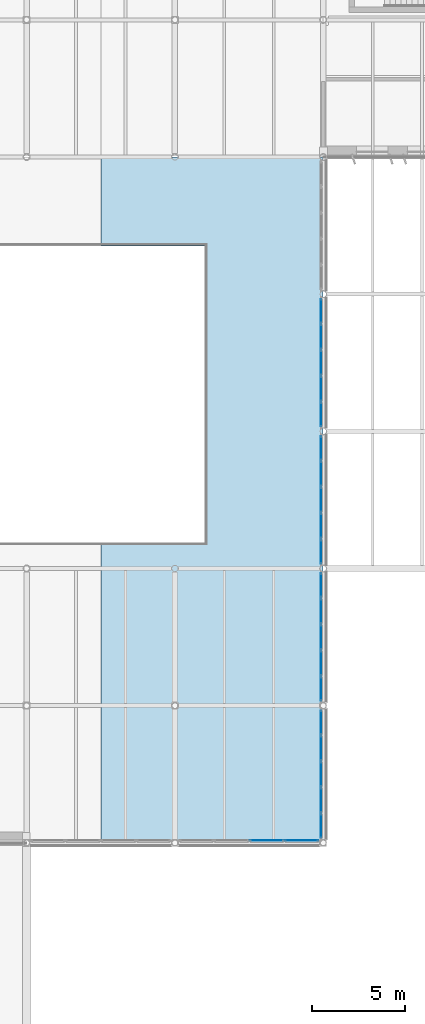
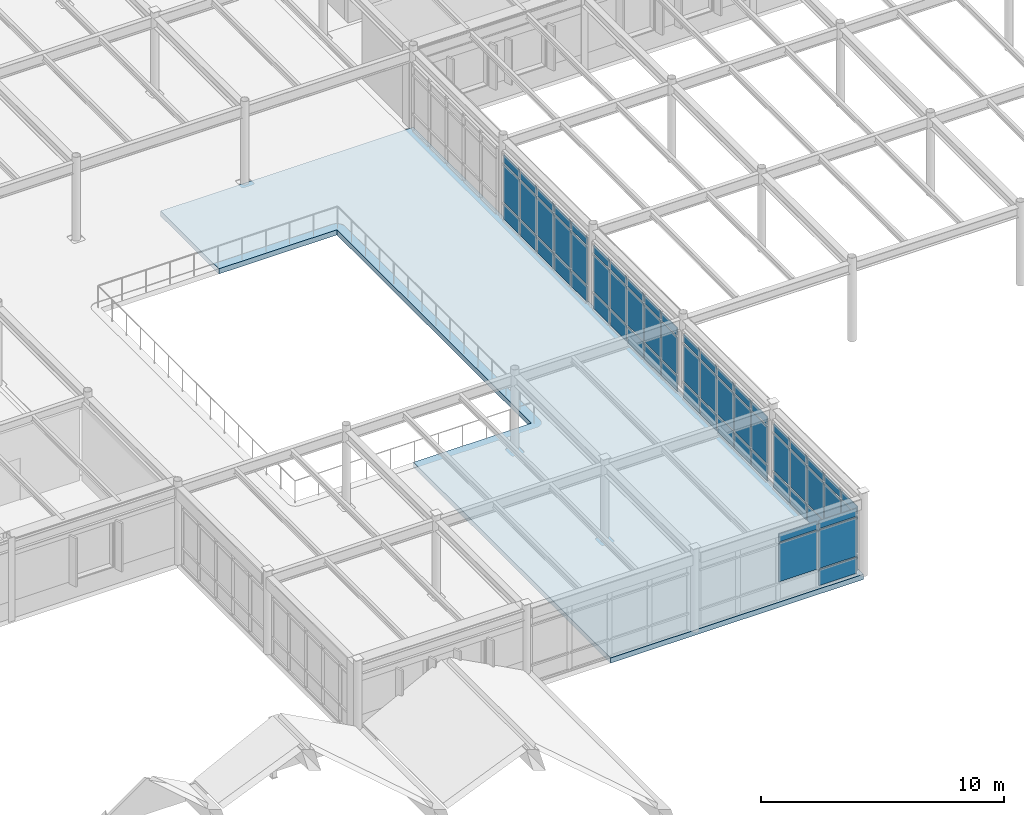
# One storey, part 31 of 63: 65 plates, 1 slab, 5 elements without a shape of their own.
"""IFC4 building model written with IfcOpenShell, lengths in metres."""

from ifc_helpers import new_model, si_unit, direction, frame, origin, origin_2d, place, context, subcontext, project, spatial, polyline, rectangle, outline, extrude, material, layer, layer_set, type_object, element, aggregate, save


model = new_model("IFC4")

# Units and contexts
model_context = context("Model", 3, precision=1e-05, world=origin(), true_north=direction((0.0, 1.0)))
body_context = subcontext(model_context, "Body", "Model", "MODEL_VIEW")
ifc_project = project(units=[si_unit("LENGTHUNIT", "METRE"), si_unit("AREAUNIT", "SQUARE_METRE"), si_unit("VOLUMEUNIT", "CUBIC_METRE"), si_unit("PLANEANGLEUNIT", "RADIAN"), si_unit("MASSUNIT", "GRAM", prefix="KILO")], contexts=[model_context])

# Site, building, storey
site_placement = place(None, origin())
site = spatial("IfcSite", under=ifc_project, at=site_placement, CompositionType="ELEMENT")
building_placement = place(site_placement, origin())
building = spatial("IfcBuilding", under=site, at=building_placement, Name="Valkorina Park Police Headquarters", CompositionType="ELEMENT")
storey_placement = place(building_placement, frame((0.0, 0.0, 9.89990234375)))
storey = spatial("IfcBuildingStorey", under=building, at=storey_placement, Name="L03", CompositionType="ELEMENT", Elevation=9.89990234375)

# Curtain wall, plates
ifc_material_1 = material(Name="Thermally broken aluminium AW-6060", Category="aluminium")
ifc_layer_1 = layer(ifc_material_1, 0.18994140625)
ifc_layer_set_1 = layer_set([ifc_layer_1], Name="Thermally broken aluminium AW-6060")
curtain_wall_type_1 = type_object("IfcCurtainWallType", Name="CW-V4-7020x3400", PredefinedType="NOTDEFINED", material=ifc_layer_set_1)
curtain_wall_1_placement = place(storey_placement, origin())
curtain_wall_1 = element("IfcCurtainWall", 1, at=curtain_wall_1_placement, inside=storey, type_object=curtain_wall_type_1, Name="L03 Unitised Curtain Wall 021", PredefinedType="NOTDEFINED")
ifc_material_2 = material(Name="Triple low-E insulated glazing", Category="glass")
ifc_layer_2 = layer(ifc_material_2, 0.0380859375)
ifc_layer_set_2 = layer_set([ifc_layer_2], Name="Triple low-E insulated glazing")
plate_type_1 = type_object("IfcPlateType", Name="PL-CWP-ACOUST-38", PredefinedType="CURTAIN_PANEL", material=ifc_layer_set_2)
plate_1_placement = place(storey_placement, frame((80.679931640625, 50.8896484375, 0.940185546875), z_axis=(0.0, 0.0, 1.0), x_axis=(0.0, -1.0, 0.0)))
plate_1 = element("IfcPlate", 2, at=plate_1_placement, type_object=plate_type_1, Name="CW-V4-702-340 panel 1.2", PredefinedType="CURTAIN_PANEL", context=body_context, shape_type="SweptSolid", body=[
    extrude(rectangle(XDim=1.284912109375, YDim=0.0380859375, at=origin_2d()), origin(), (0.0, 0.0, 1.0), 1.89501953125),
])
plate_2_placement = place(storey_placement, frame((80.679931640625, 50.8896484375, 2.9150390625), z_axis=(0.0, 0.0, 1.0), x_axis=(0.0, -1.0, 0.0)))
plate_2 = element("IfcPlate", 3, at=plate_2_placement, type_object=plate_type_1, Name="CW-V4-702-340 panel 1.3", PredefinedType="CURTAIN_PANEL", context=body_context, shape_type="SweptSolid", body=[
    extrude(rectangle(XDim=1.284912109375, YDim=0.0380859375, at=origin_2d()), origin(), (0.0, 0.0, 1.0), 0.39990234375),
])
plate_3_placement = place(storey_placement, frame((80.679931640625, 49.5048828125, 0.940185546875), z_axis=(0.0, 0.0, 1.0), x_axis=(0.0, -1.0, 0.0)))
plate_3 = element("IfcPlate", 4, at=plate_3_placement, type_object=plate_type_1, Name="CW-V4-702-340 panel 2.2", PredefinedType="CURTAIN_PANEL", context=body_context, shape_type="SweptSolid", body=[
    extrude(rectangle(XDim=1.324951171875, YDim=0.0380859375, at=origin_2d()), origin(), (0.0, 0.0, 1.0), 1.89501953125),
])
plate_4_placement = place(storey_placement, frame((80.679931640625, 49.5048828125, 2.9150390625), z_axis=(0.0, 0.0, 1.0), x_axis=(0.0, -1.0, 0.0)))
plate_4 = element("IfcPlate", 5, at=plate_4_placement, type_object=plate_type_1, Name="CW-V4-702-340 panel 2.3", PredefinedType="CURTAIN_PANEL", context=body_context, shape_type="SweptSolid", body=[
    extrude(rectangle(XDim=1.324951171875, YDim=0.0380859375, at=origin_2d()), origin(), (0.0, 0.0, 1.0), 0.39990234375),
])
plate_5_placement = place(storey_placement, frame((80.679931640625, 48.10009765625, 0.940185546875), z_axis=(0.0, 0.0, 1.0), x_axis=(0.0, -1.0, 0.0)))
plate_5 = element("IfcPlate", 6, at=plate_5_placement, type_object=plate_type_1, Name="CW-V4-702-340 panel 3.2", PredefinedType="CURTAIN_PANEL", context=body_context, shape_type="SweptSolid", body=[
    extrude(rectangle(XDim=1.324951171875, YDim=0.0380859375, at=origin_2d()), origin(), (0.0, 0.0, 1.0), 1.89501953125),
])
plate_6_placement = place(storey_placement, frame((80.679931640625, 48.10009765625, 2.9150390625), z_axis=(0.0, 0.0, 1.0), x_axis=(0.0, -1.0, 0.0)))
plate_6 = element("IfcPlate", 7, at=plate_6_placement, type_object=plate_type_1, Name="CW-V4-702-340 panel 3.3", PredefinedType="CURTAIN_PANEL", context=body_context, shape_type="SweptSolid", body=[
    extrude(rectangle(XDim=1.324951171875, YDim=0.0380859375, at=origin_2d()), origin(), (0.0, 0.0, 1.0), 0.39990234375),
])
plate_7_placement = place(storey_placement, frame((80.679931640625, 46.695068359375, 0.940185546875), z_axis=(0.0, 0.0, 1.0), x_axis=(0.0, -1.0, 0.0)))
plate_7 = element("IfcPlate", 8, at=plate_7_placement, type_object=plate_type_1, Name="CW-V4-702-340 panel 4.2", PredefinedType="CURTAIN_PANEL", context=body_context, shape_type="SweptSolid", body=[
    extrude(rectangle(XDim=1.324951171875, YDim=0.0380859375, at=origin_2d()), origin(), (0.0, 0.0, 1.0), 1.89501953125),
])
plate_8_placement = place(storey_placement, frame((80.679931640625, 46.695068359375, 2.9150390625), z_axis=(0.0, 0.0, 1.0), x_axis=(0.0, -1.0, 0.0)))
plate_8 = element("IfcPlate", 9, at=plate_8_placement, type_object=plate_type_1, Name="CW-V4-702-340 panel 4.3", PredefinedType="CURTAIN_PANEL", context=body_context, shape_type="SweptSolid", body=[
    extrude(rectangle(XDim=1.324951171875, YDim=0.0380859375, at=origin_2d()), origin(), (0.0, 0.0, 1.0), 0.39990234375),
])
plate_9_placement = place(storey_placement, frame((80.679931640625, 45.310302734375, 0.940185546875), z_axis=(0.0, 0.0, 1.0), x_axis=(0.0, -1.0, 0.0)))
plate_9 = element("IfcPlate", 10, at=plate_9_placement, type_object=plate_type_1, Name="CW-V4-702-340 panel 5.2", PredefinedType="CURTAIN_PANEL", context=body_context, shape_type="SweptSolid", body=[
    extrude(rectangle(XDim=1.284912109375, YDim=0.0380859375, at=origin_2d()), origin(), (0.0, 0.0, 1.0), 1.89501953125),
])
plate_10_placement = place(storey_placement, frame((80.679931640625, 45.310302734375, 2.9150390625), z_axis=(0.0, 0.0, 1.0), x_axis=(0.0, -1.0, 0.0)))
plate_10 = element("IfcPlate", 11, at=plate_10_placement, type_object=plate_type_1, Name="CW-V4-702-340 panel 5.3", PredefinedType="CURTAIN_PANEL", context=body_context, shape_type="SweptSolid", body=[
    extrude(rectangle(XDim=1.284912109375, YDim=0.0380859375, at=origin_2d()), origin(), (0.0, 0.0, 1.0), 0.39990234375),
])

ifc_layer_3 = layer(ifc_material_1, 0.18994140625)
ifc_layer_set_3 = layer_set([ifc_layer_3], Name="Thermally broken aluminium AW-6060")
curtain_wall_type_2 = type_object("IfcCurtainWallType", Name="CW-V4-7020x3360", PredefinedType="NOTDEFINED", material=ifc_layer_set_3)
curtain_wall_2_placement = place(storey_placement, origin())
curtain_wall_2 = element("IfcCurtainWall", 12, at=curtain_wall_2_placement, inside=storey, type_object=curtain_wall_type_2, Name="L03 Unitised Curtain Wall 022", PredefinedType="NOTDEFINED")
plate_11_placement = place(storey_placement, frame((80.679931640625, 43.48974609375, 0.93994140625), z_axis=(0.0, 0.0, 1.0), x_axis=(0.0, -1.0, 0.0)))
plate_11 = element("IfcPlate", 13, at=plate_11_placement, type_object=plate_type_1, Name="CW-V4-702-336 panel 1.2", PredefinedType="CURTAIN_PANEL", context=body_context, shape_type="SweptSolid", body=[
    extrude(rectangle(XDim=1.284912109375, YDim=0.0380859375, at=origin_2d()), origin(), (0.0, 0.0, 1.0), 1.860107421875),
])
plate_12_placement = place(storey_placement, frame((80.679931640625, 43.48974609375, 2.880126953125), z_axis=(0.0, 0.0, 1.0), x_axis=(0.0, -1.0, 0.0)))
plate_12 = element("IfcPlate", 14, at=plate_12_placement, type_object=plate_type_1, Name="CW-V4-702-336 panel 1.3", PredefinedType="CURTAIN_PANEL", context=body_context, shape_type="SweptSolid", body=[
    extrude(rectangle(XDim=1.284912109375, YDim=0.0380859375, at=origin_2d()), origin(), (0.0, 0.0, 1.0), 0.39990234375),
])
plate_13_placement = place(storey_placement, frame((80.679931640625, 42.10498046875, 0.93994140625), z_axis=(0.0, 0.0, 1.0), x_axis=(0.0, -1.0, 0.0)))
plate_13 = element("IfcPlate", 15, at=plate_13_placement, type_object=plate_type_1, Name="CW-V4-702-336 panel 2.2", PredefinedType="CURTAIN_PANEL", context=body_context, shape_type="SweptSolid", body=[
    extrude(rectangle(XDim=1.324951171875, YDim=0.0380859375, at=origin_2d()), origin(), (0.0, 0.0, 1.0), 1.860107421875),
])
plate_14_placement = place(storey_placement, frame((80.679931640625, 42.10498046875, 2.880126953125), z_axis=(0.0, 0.0, 1.0), x_axis=(0.0, -1.0, 0.0)))
plate_14 = element("IfcPlate", 16, at=plate_14_placement, type_object=plate_type_1, Name="CW-V4-702-336 panel 2.3", PredefinedType="CURTAIN_PANEL", context=body_context, shape_type="SweptSolid", body=[
    extrude(rectangle(XDim=1.324951171875, YDim=0.0380859375, at=origin_2d()), origin(), (0.0, 0.0, 1.0), 0.39990234375),
])
plate_15_placement = place(storey_placement, frame((80.679931640625, 40.699951171875, 0.93994140625), z_axis=(0.0, 0.0, 1.0), x_axis=(0.0, -1.0, 0.0)))
plate_15 = element("IfcPlate", 17, at=plate_15_placement, type_object=plate_type_1, Name="CW-V4-702-336 panel 3.2", PredefinedType="CURTAIN_PANEL", context=body_context, shape_type="SweptSolid", body=[
    extrude(rectangle(XDim=1.324951171875, YDim=0.0380859375, at=origin_2d()), origin(), (0.0, 0.0, 1.0), 1.860107421875),
])
plate_16_placement = place(storey_placement, frame((80.679931640625, 40.699951171875, 2.880126953125), z_axis=(0.0, 0.0, 1.0), x_axis=(0.0, -1.0, 0.0)))
plate_16 = element("IfcPlate", 18, at=plate_16_placement, type_object=plate_type_1, Name="CW-V4-702-336 panel 3.3", PredefinedType="CURTAIN_PANEL", context=body_context, shape_type="SweptSolid", body=[
    extrude(rectangle(XDim=1.324951171875, YDim=0.0380859375, at=origin_2d()), origin(), (0.0, 0.0, 1.0), 0.39990234375),
])
plate_17_placement = place(storey_placement, frame((80.679931640625, 39.295166015625, 0.93994140625), z_axis=(0.0, 0.0, 1.0), x_axis=(0.0, -1.0, 0.0)))
plate_17 = element("IfcPlate", 19, at=plate_17_placement, type_object=plate_type_1, Name="CW-V4-702-336 panel 4.2", PredefinedType="CURTAIN_PANEL", context=body_context, shape_type="SweptSolid", body=[
    extrude(rectangle(XDim=1.324951171875, YDim=0.0380859375, at=origin_2d()), origin(), (0.0, 0.0, 1.0), 1.860107421875),
])
plate_18_placement = place(storey_placement, frame((80.679931640625, 39.295166015625, 2.880126953125), z_axis=(0.0, 0.0, 1.0), x_axis=(0.0, -1.0, 0.0)))
plate_18 = element("IfcPlate", 20, at=plate_18_placement, type_object=plate_type_1, Name="CW-V4-702-336 panel 4.3", PredefinedType="CURTAIN_PANEL", context=body_context, shape_type="SweptSolid", body=[
    extrude(rectangle(XDim=1.324951171875, YDim=0.0380859375, at=origin_2d()), origin(), (0.0, 0.0, 1.0), 0.39990234375),
])
plate_19_placement = place(storey_placement, frame((80.679931640625, 37.91015625, 0.93994140625), z_axis=(0.0, 0.0, 1.0), x_axis=(0.0, -1.0, 0.0)))
plate_19 = element("IfcPlate", 21, at=plate_19_placement, type_object=plate_type_1, Name="CW-V4-702-336 panel 5.2", PredefinedType="CURTAIN_PANEL", context=body_context, shape_type="SweptSolid", body=[
    extrude(rectangle(XDim=1.284912109375, YDim=0.0380859375, at=origin_2d()), origin(), (0.0, 0.0, 1.0), 1.860107421875),
])
plate_20_placement = place(storey_placement, frame((80.679931640625, 37.91015625, 2.880126953125), z_axis=(0.0, 0.0, 1.0), x_axis=(0.0, -1.0, 0.0)))
plate_20 = element("IfcPlate", 22, at=plate_20_placement, type_object=plate_type_1, Name="CW-V4-702-336 panel 5.3", PredefinedType="CURTAIN_PANEL", context=body_context, shape_type="SweptSolid", body=[
    extrude(rectangle(XDim=1.284912109375, YDim=0.0380859375, at=origin_2d()), origin(), (0.0, 0.0, 1.0), 0.39990234375),
])

curtain_wall_3_placement = place(storey_placement, origin())
curtain_wall_3 = element("IfcCurtainWall", 23, at=curtain_wall_3_placement, inside=storey, type_object=curtain_wall_type_2, Name="L03 Unitised Curtain Wall 023", PredefinedType="NOTDEFINED")
plate_21_placement = place(storey_placement, frame((80.679931640625, 36.08984375, 0.93994140625), z_axis=(0.0, 0.0, 1.0), x_axis=(0.0, -1.0, 0.0)))
plate_21 = element("IfcPlate", 24, at=plate_21_placement, type_object=plate_type_1, Name="CW-V4-702-336 panel 1.2", PredefinedType="CURTAIN_PANEL", context=body_context, shape_type="SweptSolid", body=[
    extrude(rectangle(XDim=1.284912109375, YDim=0.0380859375, at=origin_2d()), origin(), (0.0, 0.0, 1.0), 1.860107421875),
])
plate_22_placement = place(storey_placement, frame((80.679931640625, 36.08984375, 2.880126953125), z_axis=(0.0, 0.0, 1.0), x_axis=(0.0, -1.0, 0.0)))
plate_22 = element("IfcPlate", 25, at=plate_22_placement, type_object=plate_type_1, Name="CW-V4-702-336 panel 1.3", PredefinedType="CURTAIN_PANEL", context=body_context, shape_type="SweptSolid", body=[
    extrude(rectangle(XDim=1.284912109375, YDim=0.0380859375, at=origin_2d()), origin(), (0.0, 0.0, 1.0), 0.39990234375),
])
plate_23_placement = place(storey_placement, frame((80.679931640625, 34.704833984375, 0.93994140625), z_axis=(0.0, 0.0, 1.0), x_axis=(0.0, -1.0, 0.0)))
plate_23 = element("IfcPlate", 26, at=plate_23_placement, type_object=plate_type_1, Name="CW-V4-702-336 panel 2.2", PredefinedType="CURTAIN_PANEL", context=body_context, shape_type="SweptSolid", body=[
    extrude(rectangle(XDim=1.324951171875, YDim=0.0380859375, at=origin_2d()), origin(), (0.0, 0.0, 1.0), 1.860107421875),
])
plate_24_placement = place(storey_placement, frame((80.679931640625, 34.704833984375, 2.880126953125), z_axis=(0.0, 0.0, 1.0), x_axis=(0.0, -1.0, 0.0)))
plate_24 = element("IfcPlate", 27, at=plate_24_placement, type_object=plate_type_1, Name="CW-V4-702-336 panel 2.3", PredefinedType="CURTAIN_PANEL", context=body_context, shape_type="SweptSolid", body=[
    extrude(rectangle(XDim=1.324951171875, YDim=0.0380859375, at=origin_2d()), origin(), (0.0, 0.0, 1.0), 0.39990234375),
])
plate_25_placement = place(storey_placement, frame((80.679931640625, 33.300048828125, 0.93994140625), z_axis=(0.0, 0.0, 1.0), x_axis=(0.0, -1.0, 0.0)))
plate_25 = element("IfcPlate", 28, at=plate_25_placement, type_object=plate_type_1, Name="CW-V4-702-336 panel 3.2", PredefinedType="CURTAIN_PANEL", context=body_context, shape_type="SweptSolid", body=[
    extrude(rectangle(XDim=1.324951171875, YDim=0.0380859375, at=origin_2d()), origin(), (0.0, 0.0, 1.0), 1.860107421875),
])
plate_26_placement = place(storey_placement, frame((80.679931640625, 33.300048828125, 2.880126953125), z_axis=(0.0, 0.0, 1.0), x_axis=(0.0, -1.0, 0.0)))
plate_26 = element("IfcPlate", 29, at=plate_26_placement, type_object=plate_type_1, Name="CW-V4-702-336 panel 3.3", PredefinedType="CURTAIN_PANEL", context=body_context, shape_type="SweptSolid", body=[
    extrude(rectangle(XDim=1.324951171875, YDim=0.0380859375, at=origin_2d()), origin(), (0.0, 0.0, 1.0), 0.39990234375),
])
plate_27_placement = place(storey_placement, frame((80.679931640625, 31.89501953125, 0.93994140625), z_axis=(0.0, 0.0, 1.0), x_axis=(0.0, -1.0, 0.0)))
plate_27 = element("IfcPlate", 30, at=plate_27_placement, type_object=plate_type_1, Name="CW-V4-702-336 panel 4.2", PredefinedType="CURTAIN_PANEL", context=body_context, shape_type="SweptSolid", body=[
    extrude(rectangle(XDim=1.324951171875, YDim=0.0380859375, at=origin_2d()), origin(), (0.0, 0.0, 1.0), 1.860107421875),
])
plate_28_placement = place(storey_placement, frame((80.679931640625, 31.89501953125, 2.880126953125), z_axis=(0.0, 0.0, 1.0), x_axis=(0.0, -1.0, 0.0)))
plate_28 = element("IfcPlate", 31, at=plate_28_placement, type_object=plate_type_1, Name="CW-V4-702-336 panel 4.3", PredefinedType="CURTAIN_PANEL", context=body_context, shape_type="SweptSolid", body=[
    extrude(rectangle(XDim=1.324951171875, YDim=0.0380859375, at=origin_2d()), origin(), (0.0, 0.0, 1.0), 0.39990234375),
])
plate_29_placement = place(storey_placement, frame((80.679931640625, 30.51025390625, 0.93994140625), z_axis=(0.0, 0.0, 1.0), x_axis=(0.0, -1.0, 0.0)))
plate_29 = element("IfcPlate", 32, at=plate_29_placement, type_object=plate_type_1, Name="CW-V4-702-336 panel 5.2", PredefinedType="CURTAIN_PANEL", context=body_context, shape_type="SweptSolid", body=[
    extrude(rectangle(XDim=1.284912109375, YDim=0.0380859375, at=origin_2d()), origin(), (0.0, 0.0, 1.0), 1.860107421875),
])
plate_30_placement = place(storey_placement, frame((80.679931640625, 30.51025390625, 2.880126953125), z_axis=(0.0, 0.0, 1.0), x_axis=(0.0, -1.0, 0.0)))
plate_30 = element("IfcPlate", 33, at=plate_30_placement, type_object=plate_type_1, Name="CW-V4-702-336 panel 5.3", PredefinedType="CURTAIN_PANEL", context=body_context, shape_type="SweptSolid", body=[
    extrude(rectangle(XDim=1.284912109375, YDim=0.0380859375, at=origin_2d()), origin(), (0.0, 0.0, 1.0), 0.39990234375),
])

curtain_wall_4_placement = place(storey_placement, origin())
curtain_wall_4 = element("IfcCurtainWall", 34, at=curtain_wall_4_placement, inside=storey, type_object=curtain_wall_type_2, Name="L03 Unitised Curtain Wall 024", PredefinedType="NOTDEFINED")
plate_31_placement = place(storey_placement, frame((80.679931640625, 28.689697265625, 0.93994140625), z_axis=(0.0, 0.0, 1.0), x_axis=(0.0, -1.0, 0.0)))
plate_31 = element("IfcPlate", 35, at=plate_31_placement, type_object=plate_type_1, Name="CW-V4-702-336 panel 1.2", PredefinedType="CURTAIN_PANEL", context=body_context, shape_type="SweptSolid", body=[
    extrude(rectangle(XDim=1.284912109375, YDim=0.0380859375, at=origin_2d()), origin(), (0.0, 0.0, 1.0), 1.860107421875),
])
plate_32_placement = place(storey_placement, frame((80.679931640625, 28.689697265625, 2.880126953125), z_axis=(0.0, 0.0, 1.0), x_axis=(0.0, -1.0, 0.0)))
plate_32 = element("IfcPlate", 36, at=plate_32_placement, type_object=plate_type_1, Name="CW-V4-702-336 panel 1.3", PredefinedType="CURTAIN_PANEL", context=body_context, shape_type="SweptSolid", body=[
    extrude(rectangle(XDim=1.284912109375, YDim=0.0380859375, at=origin_2d()), origin(), (0.0, 0.0, 1.0), 0.39990234375),
])
plate_33_placement = place(storey_placement, frame((80.679931640625, 27.304931640625, 0.93994140625), z_axis=(0.0, 0.0, 1.0), x_axis=(0.0, -1.0, 0.0)))
plate_33 = element("IfcPlate", 37, at=plate_33_placement, type_object=plate_type_1, Name="CW-V4-702-336 panel 2.2", PredefinedType="CURTAIN_PANEL", context=body_context, shape_type="SweptSolid", body=[
    extrude(rectangle(XDim=1.324951171875, YDim=0.0380859375, at=origin_2d()), origin(), (0.0, 0.0, 1.0), 1.860107421875),
])
plate_34_placement = place(storey_placement, frame((80.679931640625, 27.304931640625, 2.880126953125), z_axis=(0.0, 0.0, 1.0), x_axis=(0.0, -1.0, 0.0)))
plate_34 = element("IfcPlate", 38, at=plate_34_placement, type_object=plate_type_1, Name="CW-V4-702-336 panel 2.3", PredefinedType="CURTAIN_PANEL", context=body_context, shape_type="SweptSolid", body=[
    extrude(rectangle(XDim=1.324951171875, YDim=0.0380859375, at=origin_2d()), origin(), (0.0, 0.0, 1.0), 0.39990234375),
])
plate_35_placement = place(storey_placement, frame((80.679931640625, 25.89990234375, 0.93994140625), z_axis=(0.0, 0.0, 1.0), x_axis=(0.0, -1.0, 0.0)))
plate_35 = element("IfcPlate", 39, at=plate_35_placement, type_object=plate_type_1, Name="CW-V4-702-336 panel 3.2", PredefinedType="CURTAIN_PANEL", context=body_context, shape_type="SweptSolid", body=[
    extrude(rectangle(XDim=1.324951171875, YDim=0.0380859375, at=origin_2d()), origin(), (0.0, 0.0, 1.0), 1.860107421875),
])
plate_36_placement = place(storey_placement, frame((80.679931640625, 25.89990234375, 2.880126953125), z_axis=(0.0, 0.0, 1.0), x_axis=(0.0, -1.0, 0.0)))
plate_36 = element("IfcPlate", 40, at=plate_36_placement, type_object=plate_type_1, Name="CW-V4-702-336 panel 3.3", PredefinedType="CURTAIN_PANEL", context=body_context, shape_type="SweptSolid", body=[
    extrude(rectangle(XDim=1.324951171875, YDim=0.0380859375, at=origin_2d()), origin(), (0.0, 0.0, 1.0), 0.39990234375),
])
plate_37_placement = place(storey_placement, frame((80.679931640625, 24.4951171875, 0.93994140625), z_axis=(0.0, 0.0, 1.0), x_axis=(0.0, -1.0, 0.0)))
plate_37 = element("IfcPlate", 41, at=plate_37_placement, type_object=plate_type_1, Name="CW-V4-702-336 panel 4.2", PredefinedType="CURTAIN_PANEL", context=body_context, shape_type="SweptSolid", body=[
    extrude(rectangle(XDim=1.324951171875, YDim=0.0380859375, at=origin_2d()), origin(), (0.0, 0.0, 1.0), 1.860107421875),
])
plate_38_placement = place(storey_placement, frame((80.679931640625, 24.4951171875, 2.880126953125), z_axis=(0.0, 0.0, 1.0), x_axis=(0.0, -1.0, 0.0)))
plate_38 = element("IfcPlate", 42, at=plate_38_placement, type_object=plate_type_1, Name="CW-V4-702-336 panel 4.3", PredefinedType="CURTAIN_PANEL", context=body_context, shape_type="SweptSolid", body=[
    extrude(rectangle(XDim=1.324951171875, YDim=0.0380859375, at=origin_2d()), origin(), (0.0, 0.0, 1.0), 0.39990234375),
])
plate_39_placement = place(storey_placement, frame((80.679931640625, 23.1103515625, 0.93994140625), z_axis=(0.0, 0.0, 1.0), x_axis=(0.0, -1.0, 0.0)))
plate_39 = element("IfcPlate", 43, at=plate_39_placement, type_object=plate_type_1, Name="CW-V4-702-336 panel 5.2", PredefinedType="CURTAIN_PANEL", context=body_context, shape_type="SweptSolid", body=[
    extrude(rectangle(XDim=1.284912109375, YDim=0.0380859375, at=origin_2d()), origin(), (0.0, 0.0, 1.0), 1.860107421875),
])
plate_40_placement = place(storey_placement, frame((80.679931640625, 23.1103515625, 2.880126953125), z_axis=(0.0, 0.0, 1.0), x_axis=(0.0, -1.0, 0.0)))
plate_40 = element("IfcPlate", 44, at=plate_40_placement, type_object=plate_type_1, Name="CW-V4-702-336 panel 5.3", PredefinedType="CURTAIN_PANEL", context=body_context, shape_type="SweptSolid", body=[
    extrude(rectangle(XDim=1.284912109375, YDim=0.0380859375, at=origin_2d()), origin(), (0.0, 0.0, 1.0), 0.39990234375),
])

ifc_layer_4 = layer(ifc_material_1, 0.18994140625)
ifc_layer_set_4 = layer_set([ifc_layer_4], Name="Thermally broken aluminium AW-6060")
curtain_wall_type_3 = type_object("IfcCurtainWallType", Name="CW-V4-7620x3420", PredefinedType="NOTDEFINED", material=ifc_layer_set_4)
curtain_wall_5_placement = place(storey_placement, origin())
curtain_wall_5 = element("IfcCurtainWall", 45, at=curtain_wall_5_placement, inside=storey, type_object=curtain_wall_type_3, Name="L03 Unitised Curtain Wall 025", PredefinedType="NOTDEFINED")
plate_41_placement = place(storey_placement, frame((79.63916015625, 22.320068359375, 0.940185546875), z_axis=(0.0, 0.0, 1.0), x_axis=(-1.0, 0.0, 0.0)))
plate_41 = element("IfcPlate", 46, at=plate_41_placement, type_object=plate_type_1, Name="CW-V4-762-342 panel 1.2", PredefinedType="CURTAIN_PANEL", context=body_context, shape_type="SweptSolid", body=[
    extrude(rectangle(XDim=1.7861328125, YDim=0.0380859375, at=origin_2d()), origin(), (0.0, 0.0, 1.0), 1.919921875),
])
plate_42_placement = place(storey_placement, frame((79.63916015625, 22.320068359375, 2.940185546875), z_axis=(0.0, 0.0, 1.0), x_axis=(-1.0, 0.0, 0.0)))
plate_42 = element("IfcPlate", 47, at=plate_42_placement, type_object=plate_type_1, Name="CW-V4-762-342 panel 1.3", PredefinedType="CURTAIN_PANEL", context=body_context, shape_type="SweptSolid", body=[
    extrude(rectangle(XDim=1.7861328125, YDim=0.0380859375, at=origin_2d()), origin(), (0.0, 0.0, 1.0), 0.39990234375),
])
plate_43_placement = place(storey_placement, frame((77.7529296875, 22.320068359375, 0.940185546875), z_axis=(0.0, 0.0, 1.0), x_axis=(-1.0, 0.0, 0.0)))
plate_43 = element("IfcPlate", 48, at=plate_43_placement, type_object=plate_type_1, Name="CW-V4-762-342 panel 2.2", PredefinedType="CURTAIN_PANEL", context=body_context, shape_type="SweptSolid", body=[
    extrude(rectangle(XDim=1.826171875, YDim=0.0380859375, at=origin_2d()), origin(), (0.0, 0.0, 1.0), 1.919921875),
])
plate_44_placement = place(storey_placement, frame((77.7529296875, 22.320068359375, 2.940185546875), z_axis=(0.0, 0.0, 1.0), x_axis=(-1.0, 0.0, 0.0)))
plate_44 = element("IfcPlate", 49, at=plate_44_placement, type_object=plate_type_1, Name="CW-V4-762-342 panel 2.3", PredefinedType="CURTAIN_PANEL", context=body_context, shape_type="SweptSolid", body=[
    extrude(rectangle(XDim=1.826171875, YDim=0.0380859375, at=origin_2d()), origin(), (0.0, 0.0, 1.0), 0.39990234375),
])

# Plate
ifc_layer_5 = layer(ifc_material_1, 0.06494140625)
ifc_layer_set_5 = layer_set([ifc_layer_5], Name="Thermally broken aluminium AW-6060")
plate_type_2 = type_object("IfcPlateType", Name="PL-CWP-INSUL-65", PredefinedType="CURTAIN_PANEL", material=ifc_layer_set_5)
plate_45_placement = place(storey_placement, frame((80.679931640625, 50.8896484375, 0.080078125), z_axis=(0.0, 0.0, 1.0), x_axis=(0.0, -1.0, 0.0)))
plate_45 = element("IfcPlate", 50, at=plate_45_placement, type_object=plate_type_2, Name="CW-V4-702-340 panel 1.1", PredefinedType="CURTAIN_PANEL", context=body_context, shape_type="SweptSolid", body=[
    extrude(rectangle(XDim=1.284912109375, YDim=0.0380859375, at=origin_2d()), origin(), (0.0, 0.0, 1.0), 0.780029296875),
])

plate_46_placement = place(storey_placement, frame((80.679931640625, 49.5048828125, 0.080078125), z_axis=(0.0, 0.0, 1.0), x_axis=(0.0, -1.0, 0.0)))
plate_46 = element("IfcPlate", 51, at=plate_46_placement, type_object=plate_type_2, Name="CW-V4-702-340 panel 2.1", PredefinedType="CURTAIN_PANEL", context=body_context, shape_type="SweptSolid", body=[
    extrude(rectangle(XDim=1.324951171875, YDim=0.0380859375, at=origin_2d()), origin(), (0.0, 0.0, 1.0), 0.780029296875),
])

plate_47_placement = place(storey_placement, frame((80.679931640625, 48.10009765625, 0.080078125), z_axis=(0.0, 0.0, 1.0), x_axis=(0.0, -1.0, 0.0)))
plate_47 = element("IfcPlate", 52, at=plate_47_placement, type_object=plate_type_2, Name="CW-V4-702-340 panel 3.1", PredefinedType="CURTAIN_PANEL", context=body_context, shape_type="SweptSolid", body=[
    extrude(rectangle(XDim=1.324951171875, YDim=0.0380859375, at=origin_2d()), origin(), (0.0, 0.0, 1.0), 0.780029296875),
])

plate_48_placement = place(storey_placement, frame((80.679931640625, 46.695068359375, 0.080078125), z_axis=(0.0, 0.0, 1.0), x_axis=(0.0, -1.0, 0.0)))
plate_48 = element("IfcPlate", 53, at=plate_48_placement, type_object=plate_type_2, Name="CW-V4-702-340 panel 4.1", PredefinedType="CURTAIN_PANEL", context=body_context, shape_type="SweptSolid", body=[
    extrude(rectangle(XDim=1.324951171875, YDim=0.0380859375, at=origin_2d()), origin(), (0.0, 0.0, 1.0), 0.780029296875),
])

plate_49_placement = place(storey_placement, frame((80.679931640625, 45.310302734375, 0.080078125), z_axis=(0.0, 0.0, 1.0), x_axis=(0.0, -1.0, 0.0)))
plate_49 = element("IfcPlate", 54, at=plate_49_placement, type_object=plate_type_2, Name="CW-V4-702-340 panel 5.1", PredefinedType="CURTAIN_PANEL", context=body_context, shape_type="SweptSolid", body=[
    extrude(rectangle(XDim=1.284912109375, YDim=0.0380859375, at=origin_2d()), origin(), (0.0, 0.0, 1.0), 0.780029296875),
])

aggregate(curtain_wall_1, [plate_45, plate_1, plate_2, plate_46, plate_3, plate_4, plate_47, plate_5, plate_6, plate_48, plate_7, plate_8, plate_49, plate_9, plate_10])

plate_50_placement = place(storey_placement, frame((80.679931640625, 43.48974609375, 0.080078125), z_axis=(0.0, 0.0, 1.0), x_axis=(0.0, -1.0, 0.0)))
plate_50 = element("IfcPlate", 55, at=plate_50_placement, type_object=plate_type_2, Name="CW-V4-702-336 panel 1.1", PredefinedType="CURTAIN_PANEL", context=body_context, shape_type="SweptSolid", body=[
    extrude(rectangle(XDim=1.284912109375, YDim=0.0380859375, at=origin_2d()), origin(), (0.0, 0.0, 1.0), 0.780029296875),
])

plate_51_placement = place(storey_placement, frame((80.679931640625, 42.10498046875, 0.080078125), z_axis=(0.0, 0.0, 1.0), x_axis=(0.0, -1.0, 0.0)))
plate_51 = element("IfcPlate", 56, at=plate_51_placement, type_object=plate_type_2, Name="CW-V4-702-336 panel 2.1", PredefinedType="CURTAIN_PANEL", context=body_context, shape_type="SweptSolid", body=[
    extrude(rectangle(XDim=1.324951171875, YDim=0.0380859375, at=origin_2d()), origin(), (0.0, 0.0, 1.0), 0.780029296875),
])

plate_52_placement = place(storey_placement, frame((80.679931640625, 40.699951171875, 0.080078125), z_axis=(0.0, 0.0, 1.0), x_axis=(0.0, -1.0, 0.0)))
plate_52 = element("IfcPlate", 57, at=plate_52_placement, type_object=plate_type_2, Name="CW-V4-702-336 panel 3.1", PredefinedType="CURTAIN_PANEL", context=body_context, shape_type="SweptSolid", body=[
    extrude(rectangle(XDim=1.324951171875, YDim=0.0380859375, at=origin_2d()), origin(), (0.0, 0.0, 1.0), 0.780029296875),
])

plate_53_placement = place(storey_placement, frame((80.679931640625, 39.295166015625, 0.080078125), z_axis=(0.0, 0.0, 1.0), x_axis=(0.0, -1.0, 0.0)))
plate_53 = element("IfcPlate", 58, at=plate_53_placement, type_object=plate_type_2, Name="CW-V4-702-336 panel 4.1", PredefinedType="CURTAIN_PANEL", context=body_context, shape_type="SweptSolid", body=[
    extrude(rectangle(XDim=1.324951171875, YDim=0.0380859375, at=origin_2d()), origin(), (0.0, 0.0, 1.0), 0.780029296875),
])

plate_54_placement = place(storey_placement, frame((80.679931640625, 37.91015625, 0.080078125), z_axis=(0.0, 0.0, 1.0), x_axis=(0.0, -1.0, 0.0)))
plate_54 = element("IfcPlate", 59, at=plate_54_placement, type_object=plate_type_2, Name="CW-V4-702-336 panel 5.1", PredefinedType="CURTAIN_PANEL", context=body_context, shape_type="SweptSolid", body=[
    extrude(rectangle(XDim=1.284912109375, YDim=0.0380859375, at=origin_2d()), origin(), (0.0, 0.0, 1.0), 0.780029296875),
])

aggregate(curtain_wall_2, [plate_50, plate_11, plate_12, plate_51, plate_13, plate_14, plate_52, plate_15, plate_16, plate_53, plate_17, plate_18, plate_54, plate_19, plate_20])

plate_55_placement = place(storey_placement, frame((80.679931640625, 36.08984375, 0.080078125), z_axis=(0.0, 0.0, 1.0), x_axis=(0.0, -1.0, 0.0)))
plate_55 = element("IfcPlate", 60, at=plate_55_placement, type_object=plate_type_2, Name="CW-V4-702-336 panel 1.1", PredefinedType="CURTAIN_PANEL", context=body_context, shape_type="SweptSolid", body=[
    extrude(rectangle(XDim=1.284912109375, YDim=0.0380859375, at=origin_2d()), origin(), (0.0, 0.0, 1.0), 0.780029296875),
])

plate_56_placement = place(storey_placement, frame((80.679931640625, 34.704833984375, 0.080078125), z_axis=(0.0, 0.0, 1.0), x_axis=(0.0, -1.0, 0.0)))
plate_56 = element("IfcPlate", 61, at=plate_56_placement, type_object=plate_type_2, Name="CW-V4-702-336 panel 2.1", PredefinedType="CURTAIN_PANEL", context=body_context, shape_type="SweptSolid", body=[
    extrude(rectangle(XDim=1.324951171875, YDim=0.0380859375, at=origin_2d()), origin(), (0.0, 0.0, 1.0), 0.780029296875),
])

plate_57_placement = place(storey_placement, frame((80.679931640625, 33.300048828125, 0.080078125), z_axis=(0.0, 0.0, 1.0), x_axis=(0.0, -1.0, 0.0)))
plate_57 = element("IfcPlate", 62, at=plate_57_placement, type_object=plate_type_2, Name="CW-V4-702-336 panel 3.1", PredefinedType="CURTAIN_PANEL", context=body_context, shape_type="SweptSolid", body=[
    extrude(rectangle(XDim=1.324951171875, YDim=0.0380859375, at=origin_2d()), origin(), (0.0, 0.0, 1.0), 0.780029296875),
])

plate_58_placement = place(storey_placement, frame((80.679931640625, 31.89501953125, 0.080078125), z_axis=(0.0, 0.0, 1.0), x_axis=(0.0, -1.0, 0.0)))
plate_58 = element("IfcPlate", 63, at=plate_58_placement, type_object=plate_type_2, Name="CW-V4-702-336 panel 4.1", PredefinedType="CURTAIN_PANEL", context=body_context, shape_type="SweptSolid", body=[
    extrude(rectangle(XDim=1.324951171875, YDim=0.0380859375, at=origin_2d()), origin(), (0.0, 0.0, 1.0), 0.780029296875),
])

plate_59_placement = place(storey_placement, frame((80.679931640625, 30.51025390625, 0.080078125), z_axis=(0.0, 0.0, 1.0), x_axis=(0.0, -1.0, 0.0)))
plate_59 = element("IfcPlate", 64, at=plate_59_placement, type_object=plate_type_2, Name="CW-V4-702-336 panel 5.1", PredefinedType="CURTAIN_PANEL", context=body_context, shape_type="SweptSolid", body=[
    extrude(rectangle(XDim=1.284912109375, YDim=0.0380859375, at=origin_2d()), origin(), (0.0, 0.0, 1.0), 0.780029296875),
])

aggregate(curtain_wall_3, [plate_55, plate_21, plate_22, plate_56, plate_23, plate_24, plate_57, plate_25, plate_26, plate_58, plate_27, plate_28, plate_59, plate_29, plate_30])

plate_60_placement = place(storey_placement, frame((80.679931640625, 28.689697265625, 0.080078125), z_axis=(0.0, 0.0, 1.0), x_axis=(0.0, -1.0, 0.0)))
plate_60 = element("IfcPlate", 65, at=plate_60_placement, type_object=plate_type_2, Name="CW-V4-702-336 panel 1.1", PredefinedType="CURTAIN_PANEL", context=body_context, shape_type="SweptSolid", body=[
    extrude(rectangle(XDim=1.284912109375, YDim=0.0380859375, at=origin_2d()), origin(), (0.0, 0.0, 1.0), 0.780029296875),
])

plate_61_placement = place(storey_placement, frame((80.679931640625, 27.304931640625, 0.080078125), z_axis=(0.0, 0.0, 1.0), x_axis=(0.0, -1.0, 0.0)))
plate_61 = element("IfcPlate", 66, at=plate_61_placement, type_object=plate_type_2, Name="CW-V4-702-336 panel 2.1", PredefinedType="CURTAIN_PANEL", context=body_context, shape_type="SweptSolid", body=[
    extrude(rectangle(XDim=1.324951171875, YDim=0.0380859375, at=origin_2d()), origin(), (0.0, 0.0, 1.0), 0.780029296875),
])

plate_62_placement = place(storey_placement, frame((80.679931640625, 25.89990234375, 0.080078125), z_axis=(0.0, 0.0, 1.0), x_axis=(0.0, -1.0, 0.0)))
plate_62 = element("IfcPlate", 67, at=plate_62_placement, type_object=plate_type_2, Name="CW-V4-702-336 panel 3.1", PredefinedType="CURTAIN_PANEL", context=body_context, shape_type="SweptSolid", body=[
    extrude(rectangle(XDim=1.324951171875, YDim=0.0380859375, at=origin_2d()), origin(), (0.0, 0.0, 1.0), 0.780029296875),
])

plate_63_placement = place(storey_placement, frame((80.679931640625, 24.4951171875, 0.080078125), z_axis=(0.0, 0.0, 1.0), x_axis=(0.0, -1.0, 0.0)))
plate_63 = element("IfcPlate", 68, at=plate_63_placement, type_object=plate_type_2, Name="CW-V4-702-336 panel 4.1", PredefinedType="CURTAIN_PANEL", context=body_context, shape_type="SweptSolid", body=[
    extrude(rectangle(XDim=1.324951171875, YDim=0.0380859375, at=origin_2d()), origin(), (0.0, 0.0, 1.0), 0.780029296875),
])

plate_64_placement = place(storey_placement, frame((80.679931640625, 23.1103515625, 0.080078125), z_axis=(0.0, 0.0, 1.0), x_axis=(0.0, -1.0, 0.0)))
plate_64 = element("IfcPlate", 69, at=plate_64_placement, type_object=plate_type_2, Name="CW-V4-702-336 panel 5.1", PredefinedType="CURTAIN_PANEL", context=body_context, shape_type="SweptSolid", body=[
    extrude(rectangle(XDim=1.284912109375, YDim=0.0380859375, at=origin_2d()), origin(), (0.0, 0.0, 1.0), 0.780029296875),
])

aggregate(curtain_wall_4, [plate_60, plate_31, plate_32, plate_61, plate_33, plate_34, plate_62, plate_35, plate_36, plate_63, plate_37, plate_38, plate_64, plate_39, plate_40])

plate_65_placement = place(storey_placement, frame((79.63916015625, 22.320068359375, 0.080078125), z_axis=(0.0, 0.0, 1.0), x_axis=(-1.0, 0.0, 0.0)))
plate_65 = element("IfcPlate", 70, at=plate_65_placement, type_object=plate_type_2, Name="CW-V4-762-342 panel 1.1", PredefinedType="CURTAIN_PANEL", context=body_context, shape_type="SweptSolid", body=[
    extrude(rectangle(XDim=1.7861328125, YDim=0.0380859375, at=origin_2d()), origin(), (0.0, 0.0, 1.0), 0.780029296875),
])

aggregate(curtain_wall_5, [plate_65, plate_41, plate_42, plate_43, plate_44])

# Slab
ifc_material_3 = material(Name="Concrete C35/45", Category="concrete")
ifc_layer_6 = layer(ifc_material_3, 0.260009765625)
ifc_layer_set_6 = layer_set([ifc_layer_6], Name="Concrete C35/45")
slab_type = type_object("IfcSlabType", Name="SL-PODIUM-260", PredefinedType="FLOOR", material=ifc_layer_set_6)
slab_placement = place(storey_placement, frame((0.0, 0.0, -0.260009765625)))
element("IfcSlab", 71, at=slab_placement, inside=storey, type_object=slab_type, Name="L03 Structural Floor Slab 62", PredefinedType="FLOOR", context=body_context, shape_type="SweptSolid", body=[
    extrude(outline(polyline([(68.800048828125, 59.19189453125), (68.800048828125, 54.39990234375), (74.39990234375, 54.39990234375), (74.39990234375, 38.39990234375), (68.800048828125, 38.39990234375), (68.800048828125, 22.199951171875), (80.800048828125, 22.199951171875), (80.800048828125, 59.19189453125), (68.800048828125, 59.19189453125)])), origin(), (0.0, 0.0, 1.0), 0.260009765625),
])

save(model, "model.ifc")
